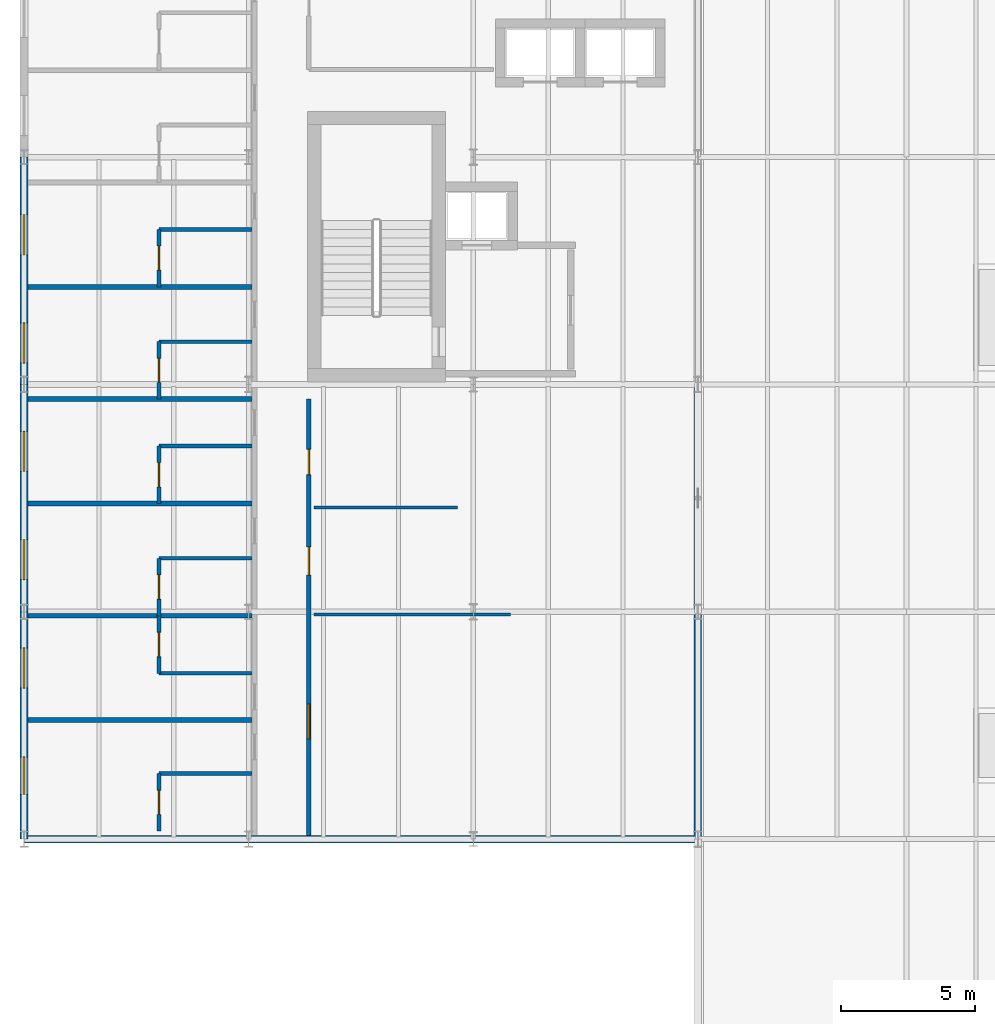
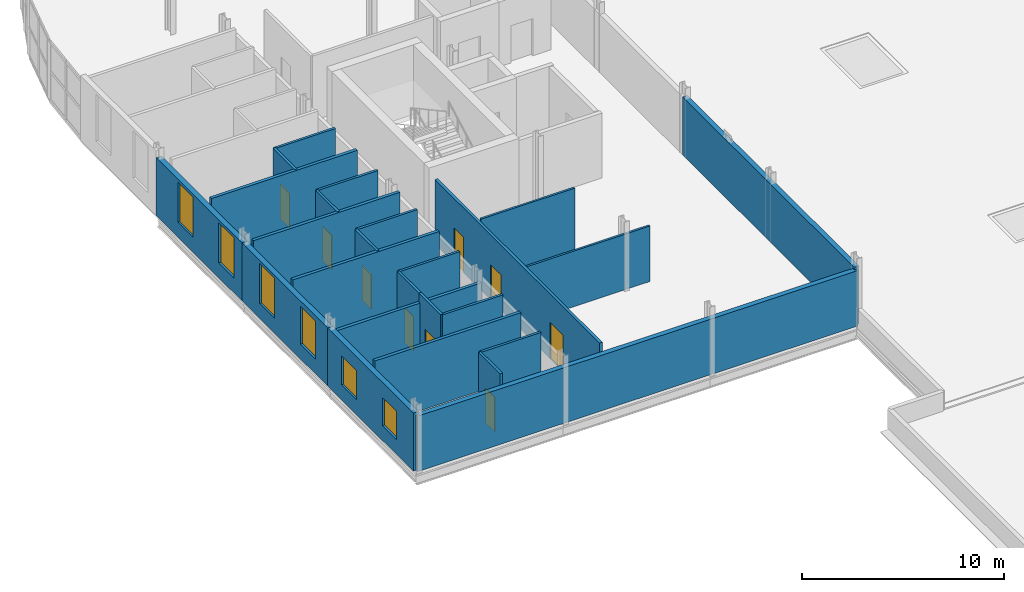
# One storey, part 41 of 58: 25 walls, 9 doors, 6 windows, 15 openings.
"""IFC4 building model written with IfcOpenShell, lengths in metres."""

from ifc_helpers import new_model, si_unit, direction, frame, frame_2d, origin, place, context, subcontext, project, spatial, rectangle, extrude, material, layer, layer_set, type_object, element, fill, save


model = new_model("IFC4")

# Units and contexts
model_context = context("Model", 3, precision=1e-05, world=origin(), true_north=direction((0.0, 1.0)))
body_context = subcontext(model_context, "Body", "Model", "MODEL_VIEW")
ifc_project = project(units=[si_unit("LENGTHUNIT", "METRE"), si_unit("AREAUNIT", "SQUARE_METRE"), si_unit("VOLUMEUNIT", "CUBIC_METRE"), si_unit("PLANEANGLEUNIT", "RADIAN"), si_unit("MASSUNIT", "GRAM", prefix="KILO")], contexts=[model_context])

# Site, building, storey
site_placement = place(None, origin())
site = spatial("IfcSite", under=ifc_project, at=site_placement, CompositionType="ELEMENT")
building_placement = place(site_placement, origin())
building = spatial("IfcBuilding", under=site, at=building_placement, Name="Sefraquen Railside Congress Hotel", CompositionType="ELEMENT")
storey_placement = place(building_placement, frame((0.0, 0.0, 16.199951171875)))
storey = spatial("IfcBuildingStorey", under=building, at=storey_placement, Name="L03", CompositionType="ELEMENT", Elevation=16.199951171875)

# Walls
ifc_material_1 = material(Name="Ochre Rabat calcarenite limestone and Concrete C40/50 backing", Category="masonry")
ifc_layer_1 = layer(ifc_material_1, 0.280029296875)
ifc_layer_set_1 = layer_set([ifc_layer_1], Name="Ochre Rabat calcarenite limestone and Concrete C40/50 backing")
wall_type_1 = type_object("IfcWallType", Name="TW-EW-280", PredefinedType="STANDARD", material=ifc_layer_set_1)
wall_1_placement = place(storey_placement, frame((0.0, 62.5, 0.0), z_axis=(0.0, 0.0, 1.0), x_axis=(1.0, 0.0, 0.0)))
element("IfcWall", 1, at=wall_1_placement, inside=storey, type_object=wall_type_1, Name="Hotel L03 south-west return wall", PredefinedType="STANDARD", context=body_context, shape_type="SweptSolid", body=[
    extrude(rectangle(XDim=25.199951171875, YDim=0.280029296875, at=frame_2d((12.60009765625, 0.0))), origin(), (0.0, 0.0, 1.0), 3.360107421875),
])
wall_2_placement = place(storey_placement, frame((25.199951171875, 62.5, 0.0), z_axis=(0.0, 0.0, 1.0), x_axis=(0.0, 1.0, 0.0)))
element("IfcWall", 2, at=wall_2_placement, inside=storey, type_object=wall_type_1, Name="Hotel L03 courtyard return wall", PredefinedType="STANDARD", context=body_context, shape_type="SweptSolid", body=[
    extrude(rectangle(XDim=17.0, YDim=0.280029296875, at=frame_2d((8.5, 0.0))), origin(), (0.0, 0.0, 1.0), 3.510009765625),
])

# Wall, openings, windows
ifc_layer_2 = layer(ifc_material_1, 0.300048828125)
ifc_layer_set_2 = layer_set([ifc_layer_2], Name="Ochre Rabat calcarenite limestone and Concrete C40/50 backing")
wall_type_2 = type_object("IfcWallType", Name="TW-EW-300", PredefinedType="STANDARD", material=ifc_layer_set_2)
wall_3_placement = place(storey_placement, frame((0.0, 62.5, 0.0), z_axis=(0.0, 0.0, 1.0), x_axis=(0.0, 1.0, 0.0)))
wall_3 = element("IfcWall", 3, at=wall_3_placement, inside=storey, type_object=wall_type_2, Name="Hotel L03 West Forecourt facade wall", PredefinedType="STANDARD", context=body_context, shape_type="SweptSolid", body=[
    extrude(rectangle(XDim=8.5, YDim=0.300048828125, at=frame_2d((4.25, 0.0))), origin(), (0.0, 0.0, 1.0), 3.510009765625),
])
opening_1_placement = place(wall_3_placement, frame((1.674072265625, 0.0, 0.89990234375)))
opening_1 = element("IfcOpeningElement", 4, at=opening_1_placement, cuts=wall_3, Name="Opening WN-23", PredefinedType="OPENING", context=body_context, shape_type="SweptSolid", body=[
    extrude(rectangle(XDim=1.39990234375, YDim=1.699951171875, at=frame_2d((0.699951171875, 0.85009765625))), frame((0.0, 0.159912109375, 0.0), z_axis=(0.0, -1.0, 0.0), x_axis=(1.0, 0.0, 0.0)), (0.0, 0.0, 1.0), 0.320068359375),
])
opening_2_placement = place(wall_3_placement, frame((5.64892578125, 0.0, 0.89990234375)))
opening_2 = element("IfcOpeningElement", 5, at=opening_2_placement, cuts=wall_3, Name="Opening WN-24", PredefinedType="OPENING", context=body_context, shape_type="SweptSolid", body=[
    extrude(rectangle(XDim=1.5, YDim=1.75, at=frame_2d((0.75, 0.875))), frame((0.0, 0.159912109375, 0.0), z_axis=(0.0, -1.0, 0.0), x_axis=(1.0, 0.0, 0.0)), (0.0, 0.0, 1.0), 0.320068359375),
])
ifc_material_2 = material(Name="Solar-control low-E double glazing in bronze-anodised frame", Category="glass")
window_type_1 = type_object("IfcWindowType", Name="TWN-W-23", PartitioningType="DOUBLE_PANEL_VERTICAL", PredefinedType="WINDOW", material=ifc_material_2)
window_1_placement = place(opening_1_placement, origin())
window_1 = element("IfcWindow", 6, at=window_1_placement, inside=storey, type_object=window_type_1, Name="Guest room west window SP-L03-RM-023", OverallHeight=1.699951171875, OverallWidth=1.39990234375, PartitioningType="DOUBLE_PANEL_VERTICAL", PredefinedType="WINDOW", context=body_context, shape_type="SweptSolid", body=[
    extrude(rectangle(XDim=1.39990234375, YDim=1.699951171875, at=frame_2d((0.699951171875, 0.85009765625))), frame((0.0, 0.030029296875, 0.0), z_axis=(0.0, -1.0, 0.0), x_axis=(1.0, 0.0, 0.0)), (0.0, 0.0, 1.0), 0.06005859375),
])
fill(opening_1, window_1)
window_type_2 = type_object("IfcWindowType", Name="TWN-W-24", PartitioningType="DOUBLE_PANEL_VERTICAL", PredefinedType="WINDOW", material=ifc_material_2)
window_2_placement = place(opening_2_placement, origin())
window_2 = element("IfcWindow", 7, at=window_2_placement, inside=storey, type_object=window_type_2, Name="Guest room west window SP-L03-RM-024", OverallHeight=1.75, OverallWidth=1.5, PartitioningType="DOUBLE_PANEL_VERTICAL", PredefinedType="WINDOW", context=body_context, shape_type="SweptSolid", body=[
    extrude(rectangle(XDim=1.5, YDim=1.75, at=frame_2d((0.75, 0.875))), frame((0.0, 0.030029296875, 0.0), z_axis=(0.0, -1.0, 0.0), x_axis=(1.0, 0.0, 0.0)), (0.0, 0.0, 1.0), 0.06005859375),
])
fill(opening_2, window_2)

wall_4_placement = place(storey_placement, frame((0.0, 71.0, 0.0), z_axis=(0.0, 0.0, 1.0), x_axis=(0.0, 1.0, 0.0)))
wall_4 = element("IfcWall", 8, at=wall_4_placement, inside=storey, type_object=wall_type_2, Name="Hotel L03 West Forecourt facade wall", PredefinedType="STANDARD", context=body_context, shape_type="SweptSolid", body=[
    extrude(rectangle(XDim=8.5, YDim=0.300048828125, at=frame_2d((4.25, 0.0))), origin(), (0.0, 0.0, 1.0), 3.510009765625),
])
opening_3_placement = place(wall_4_placement, frame((1.199951171875, 0.0, 0.89990234375)))
opening_3 = element("IfcOpeningElement", 9, at=opening_3_placement, cuts=wall_4, Name="Opening WN-25", PredefinedType="OPENING", context=body_context, shape_type="SweptSolid", body=[
    extrude(rectangle(XDim=1.5, YDim=2.300048828125, at=frame_2d((0.75, 1.14990234375))), frame((0.0, 0.159912109375, 0.0), z_axis=(0.0, -1.0, 0.0), x_axis=(1.0, 0.0, 0.0)), (0.0, 0.0, 1.0), 0.320068359375),
])
opening_4_placement = place(wall_4_placement, frame((5.25, 0.0, 0.89990234375)))
opening_4 = element("IfcOpeningElement", 10, at=opening_4_placement, cuts=wall_4, Name="Opening WN-26", PredefinedType="OPENING", context=body_context, shape_type="SweptSolid", body=[
    extrude(rectangle(XDim=1.5, YDim=2.429931640625, at=frame_2d((0.75, 1.21484375))), frame((0.0, 0.159912109375, 0.0), z_axis=(0.0, -1.0, 0.0), x_axis=(1.0, 0.0, 0.0)), (0.0, 0.0, 1.0), 0.320068359375),
])
window_type_3 = type_object("IfcWindowType", Name="TWN-W-25", PartitioningType="DOUBLE_PANEL_VERTICAL", PredefinedType="WINDOW", material=ifc_material_2)
window_3_placement = place(opening_3_placement, origin())
window_3 = element("IfcWindow", 11, at=window_3_placement, inside=storey, type_object=window_type_3, Name="Guest room west window SP-L03-RM-025", OverallHeight=2.300048828125, OverallWidth=1.5, PartitioningType="DOUBLE_PANEL_VERTICAL", PredefinedType="WINDOW", context=body_context, shape_type="SweptSolid", body=[
    extrude(rectangle(XDim=1.5, YDim=2.300048828125, at=frame_2d((0.75, 1.14990234375))), frame((0.0, 0.030029296875, 0.0), z_axis=(0.0, -1.0, 0.0), x_axis=(1.0, 0.0, 0.0)), (0.0, 0.0, 1.0), 0.06005859375),
])
fill(opening_3, window_3)
window_type_4 = type_object("IfcWindowType", Name="TWN-W-26", PartitioningType="DOUBLE_PANEL_VERTICAL", PredefinedType="WINDOW", material=ifc_material_2)
window_4_placement = place(opening_4_placement, origin())
window_4 = element("IfcWindow", 12, at=window_4_placement, inside=storey, type_object=window_type_4, Name="Guest room west window SP-L03-RM-026", OverallHeight=2.429931640625, OverallWidth=1.5, PartitioningType="DOUBLE_PANEL_VERTICAL", PredefinedType="WINDOW", context=body_context, shape_type="SweptSolid", body=[
    extrude(rectangle(XDim=1.5, YDim=2.429931640625, at=frame_2d((0.75, 1.21484375))), frame((0.0, 0.030029296875, 0.0), z_axis=(0.0, -1.0, 0.0), x_axis=(1.0, 0.0, 0.0)), (0.0, 0.0, 1.0), 0.06005859375),
])
fill(opening_4, window_4)

wall_5_placement = place(storey_placement, frame((0.0, 79.5, 0.0), z_axis=(0.0, 0.0, 1.0), x_axis=(0.0, 1.0, 0.0)))
wall_5 = element("IfcWall", 13, at=wall_5_placement, inside=storey, type_object=wall_type_2, Name="Hotel L03 West Forecourt facade wall", PredefinedType="STANDARD", context=body_context, shape_type="SweptSolid", body=[
    extrude(rectangle(XDim=8.5, YDim=0.300048828125, at=frame_2d((4.25, 0.0))), origin(), (0.0, 0.0, 1.0), 3.510009765625),
])
opening_5_placement = place(wall_5_placement, frame((0.799072265625, 0.0, 0.89990234375)))
opening_5 = element("IfcOpeningElement", 14, at=opening_5_placement, cuts=wall_5, Name="Opening WN-27", PredefinedType="OPENING", context=body_context, shape_type="SweptSolid", body=[
    extrude(rectangle(XDim=1.5, YDim=2.429931640625, at=frame_2d((0.75, 1.21484375))), frame((0.0, 0.159912109375, 0.0), z_axis=(0.0, -1.0, 0.0), x_axis=(1.0, 0.0, 0.0)), (0.0, 0.0, 1.0), 0.320068359375),
])
opening_6_placement = place(wall_5_placement, frame((4.85009765625, 0.0, 0.89990234375)))
opening_6 = element("IfcOpeningElement", 15, at=opening_6_placement, cuts=wall_5, Name="Opening WN-28", PredefinedType="OPENING", context=body_context, shape_type="SweptSolid", body=[
    extrude(rectangle(XDim=1.5, YDim=2.429931640625, at=frame_2d((0.75, 1.21484375))), frame((0.0, 0.159912109375, 0.0), z_axis=(0.0, -1.0, 0.0), x_axis=(1.0, 0.0, 0.0)), (0.0, 0.0, 1.0), 0.320068359375),
])
window_type_5 = type_object("IfcWindowType", Name="TWN-W-27", PartitioningType="DOUBLE_PANEL_VERTICAL", PredefinedType="WINDOW", material=ifc_material_2)
window_5_placement = place(opening_5_placement, origin())
window_5 = element("IfcWindow", 16, at=window_5_placement, inside=storey, type_object=window_type_5, Name="Guest room west window SP-L03-RM-027", OverallHeight=2.429931640625, OverallWidth=1.5, PartitioningType="DOUBLE_PANEL_VERTICAL", PredefinedType="WINDOW", context=body_context, shape_type="SweptSolid", body=[
    extrude(rectangle(XDim=1.5, YDim=2.429931640625, at=frame_2d((0.75, 1.21484375))), frame((0.0, 0.030029296875, 0.0), z_axis=(0.0, -1.0, 0.0), x_axis=(1.0, 0.0, 0.0)), (0.0, 0.0, 1.0), 0.06005859375),
])
fill(opening_5, window_5)
window_type_6 = type_object("IfcWindowType", Name="TWN-W-28", PartitioningType="DOUBLE_PANEL_VERTICAL", PredefinedType="WINDOW", material=ifc_material_2)
window_6_placement = place(opening_6_placement, origin())
window_6 = element("IfcWindow", 17, at=window_6_placement, inside=storey, type_object=window_type_6, Name="Guest room west window SP-L03-RM-028", OverallHeight=2.429931640625, OverallWidth=1.5, PartitioningType="DOUBLE_PANEL_VERTICAL", PredefinedType="WINDOW", context=body_context, shape_type="SweptSolid", body=[
    extrude(rectangle(XDim=1.5, YDim=2.429931640625, at=frame_2d((0.75, 1.21484375))), frame((0.0, 0.030029296875, 0.0), z_axis=(0.0, -1.0, 0.0), x_axis=(1.0, 0.0, 0.0)), (0.0, 0.0, 1.0), 0.06005859375),
])
fill(opening_6, window_6)

# Walls
ifc_material_3 = material(Name="Gypsum board on metal stud", Category="gypsum")
ifc_layer_3 = layer(ifc_material_3, 0.1201171875)
ifc_layer_set_3 = layer_set([ifc_layer_3], Name="Gypsum board on metal stud")
wall_type_3 = type_object("IfcWallType", Name="TW-PW-120", PredefinedType="PARTITIONING", material=ifc_layer_set_3)
wall_6_placement = place(storey_placement, frame((10.85009765625, 70.89990234375, 0.0), z_axis=(0.0, 0.0, 1.0), x_axis=(1.0, 0.0, 0.0)))
element("IfcWall", 18, at=wall_6_placement, inside=storey, type_object=wall_type_3, Name="Lounge-pantry divider L03", PredefinedType="PARTITIONING", context=body_context, shape_type="SweptSolid", body=[
    extrude(rectangle(XDim=7.349853515625, YDim=0.1201171875, at=frame_2d((3.6748046875, 0.0))), origin(), (0.0, 0.0, 1.0), 3.360107421875),
])
wall_7_placement = place(storey_placement, frame((10.85009765625, 74.89990234375, 0.0), z_axis=(0.0, 0.0, 1.0), x_axis=(1.0, 0.0, 0.0)))
element("IfcWall", 19, at=wall_7_placement, inside=storey, type_object=wall_type_3, Name="Pantry-WC divider L03", PredefinedType="PARTITIONING", context=body_context, shape_type="SweptSolid", body=[
    extrude(rectangle(XDim=5.349853515625, YDim=0.1201171875, at=frame_2d((2.6748046875, 0.0))), origin(), (0.0, 0.0, 1.0), 3.920166015625),
])
ifc_material_4 = material(Name="Moisture-resistant gypsum board", Category="gypsum")
ifc_layer_4 = layer(ifc_material_4, 0.139892578125)
ifc_layer_set_4 = layer_set([ifc_layer_4], Name="Moisture-resistant gypsum board")
wall_type_4 = type_object("IfcWallType", Name="TW-PW-140", PredefinedType="PARTITIONING", material=ifc_layer_set_4)
wall_8_placement = place(storey_placement, frame((5.050048828125, 64.949951171875, 0.0), z_axis=(0.0, 0.0, 1.0), x_axis=(1.0, 0.0, 0.0)))
element("IfcWall", 20, at=wall_8_placement, inside=storey, type_object=wall_type_4, Name="West en-suite bathroom north wall RM-023", PredefinedType="PARTITIONING", context=body_context, shape_type="SweptSolid", body=[
    extrude(rectangle(XDim=3.469970703125, YDim=0.139892578125, at=frame_2d((1.73486328125, 0.0))), origin(), (0.0, 0.0, 1.0), 3.920166015625),
])

# Wall, opening, door
wall_9_placement = place(storey_placement, frame((5.050048828125, 62.800048828125, 0.0), z_axis=(0.0, 0.0, 1.0), x_axis=(0.0, 1.0, 0.0)))
wall_9 = element("IfcWall", 21, at=wall_9_placement, inside=storey, type_object=wall_type_4, Name="West en-suite bathroom west wall RM-023", PredefinedType="PARTITIONING", context=body_context, shape_type="SweptSolid", body=[
    extrude(rectangle(XDim=2.14990234375, YDim=0.139892578125, at=frame_2d((1.074951171875, 0.0))), origin(), (0.0, 0.0, 1.0), 3.920166015625),
])
opening_7_placement = place(wall_9_placement, frame((0.625, 0.0, 0.0)))
opening_7 = element("IfcOpeningElement", 22, at=opening_7_placement, cuts=wall_9, Name="Opening ID-02", PredefinedType="OPENING", context=body_context, shape_type="SweptSolid", body=[
    extrude(rectangle(XDim=0.89990234375, YDim=2.10009765625, at=frame_2d((0.449951171875, 1.050048828125))), frame((0.0, 0.079833984375, 0.0), z_axis=(0.0, -1.0, 0.0), x_axis=(1.0, 0.0, 0.0)), (0.0, 0.0, 1.0), 0.159912109375),
])
ifc_material_5 = material(Name="Lacquered cedar joinery", Category="wood")
door_type_1 = type_object("IfcDoorType", Name="TD-ID-02", OperationType="NOTDEFINED", PredefinedType="DOOR", material=ifc_material_5)
door_1_placement = place(opening_7_placement, frame((0.89990234375, 0.0, 0.0), z_axis=(0.0, 0.0, 1.0), x_axis=(-1.0, 0.0, 0.0)))
door_1 = element("IfcDoor", 23, at=door_1_placement, inside=storey, type_object=door_type_1, Name="En-suite bathroom door RM-023", OperationType="SINGLE_SWING_LEFT", OverallHeight=2.10009765625, OverallWidth=0.89990234375, PredefinedType="DOOR", context=body_context, shape_type="SweptSolid", body=[
    extrude(rectangle(XDim=0.89990234375, YDim=2.10009765625, at=frame_2d((0.449951171875, 1.050048828125))), frame((0.0, 0.02490234375, 0.0), z_axis=(0.0, -1.0, 0.0), x_axis=(1.0, 0.0, 0.0)), (0.0, 0.0, 1.0), 0.050048828125),
])
fill(opening_7, door_1)

# Wall
wall_10_placement = place(storey_placement, frame((5.050048828125, 68.700927734375, 0.0), z_axis=(0.0, 0.0, 1.0), x_axis=(1.0, 0.0, 0.0)))
element("IfcWall", 24, at=wall_10_placement, inside=storey, type_object=wall_type_4, Name="West en-suite bathroom south wall RM-024", PredefinedType="PARTITIONING", context=body_context, shape_type="SweptSolid", body=[
    extrude(rectangle(XDim=3.469970703125, YDim=0.139892578125, at=frame_2d((1.73486328125, 0.0))), origin(), (0.0, 0.0, 1.0), 3.920166015625),
])

# Wall, opening, door
wall_11_placement = place(storey_placement, frame((5.050048828125, 68.700927734375, 0.0), z_axis=(0.0, 0.0, 1.0), x_axis=(0.0, 1.0, 0.0)))
wall_11 = element("IfcWall", 25, at=wall_11_placement, inside=storey, type_object=wall_type_4, Name="West en-suite bathroom west wall RM-024", PredefinedType="PARTITIONING", context=body_context, shape_type="SweptSolid", body=[
    extrude(rectangle(XDim=2.150146484375, YDim=0.139892578125, at=frame_2d((1.0751953125, 0.0))), origin(), (0.0, 0.0, 1.0), 3.920166015625),
])
opening_8_placement = place(wall_11_placement, frame((0.625, 0.0, 0.0)))
opening_8 = element("IfcOpeningElement", 26, at=opening_8_placement, cuts=wall_11, Name="Opening ID-02", PredefinedType="OPENING", context=body_context, shape_type="SweptSolid", body=[
    extrude(rectangle(XDim=0.89990234375, YDim=2.10009765625, at=frame_2d((0.449951171875, 1.050048828125))), frame((0.0, 0.079833984375, 0.0), z_axis=(0.0, -1.0, 0.0), x_axis=(1.0, 0.0, 0.0)), (0.0, 0.0, 1.0), 0.159912109375),
])
door_2_placement = place(opening_8_placement, frame((0.89990234375, 0.0, 0.0), z_axis=(0.0, 0.0, 1.0), x_axis=(-1.0, 0.0, 0.0)))
door_2 = element("IfcDoor", 27, at=door_2_placement, inside=storey, type_object=door_type_1, Name="En-suite bathroom door RM-024", OperationType="SINGLE_SWING_LEFT", OverallHeight=2.10009765625, OverallWidth=0.89990234375, PredefinedType="DOOR", context=body_context, shape_type="SweptSolid", body=[
    extrude(rectangle(XDim=0.89990234375, YDim=2.10009765625, at=frame_2d((0.449951171875, 1.050048828125))), frame((0.0, 0.02490234375, 0.0), z_axis=(0.0, -1.0, 0.0), x_axis=(1.0, 0.0, 0.0)), (0.0, 0.0, 1.0), 0.050048828125),
])
fill(opening_8, door_2)

# Wall
wall_12_placement = place(storey_placement, frame((5.050048828125, 73.0009765625, 0.0), z_axis=(0.0, 0.0, 1.0), x_axis=(1.0, 0.0, 0.0)))
element("IfcWall", 28, at=wall_12_placement, inside=storey, type_object=wall_type_4, Name="West en-suite bathroom north wall RM-025", PredefinedType="PARTITIONING", context=body_context, shape_type="SweptSolid", body=[
    extrude(rectangle(XDim=3.469970703125, YDim=0.139892578125, at=frame_2d((1.73486328125, 0.0))), origin(), (0.0, 0.0, 1.0), 3.920166015625),
])

# Wall, opening, door
wall_13_placement = place(storey_placement, frame((5.050048828125, 70.85107421875, 0.0), z_axis=(0.0, 0.0, 1.0), x_axis=(0.0, 1.0, 0.0)))
wall_13 = element("IfcWall", 29, at=wall_13_placement, inside=storey, type_object=wall_type_4, Name="West en-suite bathroom west wall RM-025", PredefinedType="PARTITIONING", context=body_context, shape_type="SweptSolid", body=[
    extrude(rectangle(XDim=2.14990234375, YDim=0.139892578125, at=frame_2d((1.074951171875, 0.0))), origin(), (0.0, 0.0, 1.0), 3.920166015625),
])
opening_9_placement = place(wall_13_placement, frame((0.625, 0.0, 0.0)))
opening_9 = element("IfcOpeningElement", 30, at=opening_9_placement, cuts=wall_13, Name="Opening ID-02", PredefinedType="OPENING", context=body_context, shape_type="SweptSolid", body=[
    extrude(rectangle(XDim=0.89990234375, YDim=2.10009765625, at=frame_2d((0.449951171875, 1.050048828125))), frame((0.0, 0.079833984375, 0.0), z_axis=(0.0, -1.0, 0.0), x_axis=(1.0, 0.0, 0.0)), (0.0, 0.0, 1.0), 0.159912109375),
])
door_3_placement = place(opening_9_placement, frame((0.89990234375, 0.0, 0.0), z_axis=(0.0, 0.0, 1.0), x_axis=(-1.0, 0.0, 0.0)))
door_3 = element("IfcDoor", 31, at=door_3_placement, inside=storey, type_object=door_type_1, Name="En-suite bathroom door RM-025", OperationType="SINGLE_SWING_LEFT", OverallHeight=2.10009765625, OverallWidth=0.89990234375, PredefinedType="DOOR", context=body_context, shape_type="SweptSolid", body=[
    extrude(rectangle(XDim=0.89990234375, YDim=2.10009765625, at=frame_2d((0.449951171875, 1.050048828125))), frame((0.0, 0.02490234375, 0.0), z_axis=(0.0, -1.0, 0.0), x_axis=(1.0, 0.0, 0.0)), (0.0, 0.0, 1.0), 0.050048828125),
])
fill(opening_9, door_3)

# Wall
wall_14_placement = place(storey_placement, frame((5.050048828125, 77.197998046875, 0.0), z_axis=(0.0, 0.0, 1.0), x_axis=(1.0, 0.0, 0.0)))
element("IfcWall", 32, at=wall_14_placement, inside=storey, type_object=wall_type_4, Name="West en-suite bathroom north wall RM-026", PredefinedType="PARTITIONING", context=body_context, shape_type="SweptSolid", body=[
    extrude(rectangle(XDim=3.469970703125, YDim=0.139892578125, at=frame_2d((1.73486328125, 0.0))), origin(), (0.0, 0.0, 1.0), 3.920166015625),
])

# Wall, opening, door
wall_15_placement = place(storey_placement, frame((5.050048828125, 75.048095703125, 0.0), z_axis=(0.0, 0.0, 1.0), x_axis=(0.0, 1.0, 0.0)))
wall_15 = element("IfcWall", 33, at=wall_15_placement, inside=storey, type_object=wall_type_4, Name="West en-suite bathroom west wall RM-026", PredefinedType="PARTITIONING", context=body_context, shape_type="SweptSolid", body=[
    extrude(rectangle(XDim=2.14990234375, YDim=0.139892578125, at=frame_2d((1.074951171875, 0.0))), origin(), (0.0, 0.0, 1.0), 3.920166015625),
])
opening_10_placement = place(wall_15_placement, frame((0.625, 0.0, 0.0)))
opening_10 = element("IfcOpeningElement", 34, at=opening_10_placement, cuts=wall_15, Name="Opening ID-02", PredefinedType="OPENING", context=body_context, shape_type="SweptSolid", body=[
    extrude(rectangle(XDim=0.89990234375, YDim=2.10009765625, at=frame_2d((0.449951171875, 1.050048828125))), frame((0.0, 0.079833984375, 0.0), z_axis=(0.0, -1.0, 0.0), x_axis=(1.0, 0.0, 0.0)), (0.0, 0.0, 1.0), 0.159912109375),
])
door_4_placement = place(opening_10_placement, frame((0.89990234375, 0.0, 0.0), z_axis=(0.0, 0.0, 1.0), x_axis=(-1.0, 0.0, 0.0)))
door_4 = element("IfcDoor", 35, at=door_4_placement, inside=storey, type_object=door_type_1, Name="En-suite bathroom door RM-026", OperationType="SINGLE_SWING_LEFT", OverallHeight=2.10009765625, OverallWidth=0.89990234375, PredefinedType="DOOR", context=body_context, shape_type="SweptSolid", body=[
    extrude(rectangle(XDim=0.89990234375, YDim=2.10009765625, at=frame_2d((0.449951171875, 1.050048828125))), frame((0.0, 0.02490234375, 0.0), z_axis=(0.0, -1.0, 0.0), x_axis=(1.0, 0.0, 0.0)), (0.0, 0.0, 1.0), 0.050048828125),
])
fill(opening_10, door_4)

# Wall
wall_16_placement = place(storey_placement, frame((5.050048828125, 81.10107421875, 0.0), z_axis=(0.0, 0.0, 1.0), x_axis=(1.0, 0.0, 0.0)))
element("IfcWall", 36, at=wall_16_placement, inside=storey, type_object=wall_type_4, Name="West en-suite bathroom north wall RM-027", PredefinedType="PARTITIONING", context=body_context, shape_type="SweptSolid", body=[
    extrude(rectangle(XDim=3.469970703125, YDim=0.139892578125, at=frame_2d((1.73486328125, 0.0))), origin(), (0.0, 0.0, 1.0), 3.920166015625),
])

# Wall, opening, door
wall_17_placement = place(storey_placement, frame((5.050048828125, 78.950927734375, 0.0), z_axis=(0.0, 0.0, 1.0), x_axis=(0.0, 1.0, 0.0)))
wall_17 = element("IfcWall", 37, at=wall_17_placement, inside=storey, type_object=wall_type_4, Name="West en-suite bathroom west wall RM-027", PredefinedType="PARTITIONING", context=body_context, shape_type="SweptSolid", body=[
    extrude(rectangle(XDim=2.150146484375, YDim=0.139892578125, at=frame_2d((1.0751953125, 0.0))), origin(), (0.0, 0.0, 1.0), 3.920166015625),
])
opening_11_placement = place(wall_17_placement, frame((0.625, 0.0, 0.0)))
opening_11 = element("IfcOpeningElement", 38, at=opening_11_placement, cuts=wall_17, Name="Opening ID-02", PredefinedType="OPENING", context=body_context, shape_type="SweptSolid", body=[
    extrude(rectangle(XDim=0.89990234375, YDim=2.10009765625, at=frame_2d((0.449951171875, 1.050048828125))), frame((0.0, 0.079833984375, 0.0), z_axis=(0.0, -1.0, 0.0), x_axis=(1.0, 0.0, 0.0)), (0.0, 0.0, 1.0), 0.159912109375),
])
door_5_placement = place(opening_11_placement, frame((0.89990234375, 0.0, 0.0), z_axis=(0.0, 0.0, 1.0), x_axis=(-1.0, 0.0, 0.0)))
door_5 = element("IfcDoor", 39, at=door_5_placement, inside=storey, type_object=door_type_1, Name="En-suite bathroom door RM-027", OperationType="SINGLE_SWING_LEFT", OverallHeight=2.10009765625, OverallWidth=0.89990234375, PredefinedType="DOOR", context=body_context, shape_type="SweptSolid", body=[
    extrude(rectangle(XDim=0.89990234375, YDim=2.10009765625, at=frame_2d((0.449951171875, 1.050048828125))), frame((0.0, 0.02490234375, 0.0), z_axis=(0.0, -1.0, 0.0), x_axis=(1.0, 0.0, 0.0)), (0.0, 0.0, 1.0), 0.050048828125),
])
fill(opening_11, door_5)

# Wall
wall_18_placement = place(storey_placement, frame((5.050048828125, 85.298095703125, 0.0), z_axis=(0.0, 0.0, 1.0), x_axis=(1.0, 0.0, 0.0)))
element("IfcWall", 40, at=wall_18_placement, inside=storey, type_object=wall_type_4, Name="West en-suite bathroom north wall RM-028", PredefinedType="PARTITIONING", context=body_context, shape_type="SweptSolid", body=[
    extrude(rectangle(XDim=3.469970703125, YDim=0.139892578125, at=frame_2d((1.73486328125, 0.0))), origin(), (0.0, 0.0, 1.0), 3.920166015625),
])

# Wall, opening, door
wall_19_placement = place(storey_placement, frame((5.050048828125, 83.14794921875, 0.0), z_axis=(0.0, 0.0, 1.0), x_axis=(0.0, 1.0, 0.0)))
wall_19 = element("IfcWall", 41, at=wall_19_placement, inside=storey, type_object=wall_type_4, Name="West en-suite bathroom west wall RM-028", PredefinedType="PARTITIONING", context=body_context, shape_type="SweptSolid", body=[
    extrude(rectangle(XDim=2.150146484375, YDim=0.139892578125, at=frame_2d((1.0751953125, 0.0))), origin(), (0.0, 0.0, 1.0), 3.920166015625),
])
opening_12_placement = place(wall_19_placement, frame((0.625, 0.0, 0.0)))
opening_12 = element("IfcOpeningElement", 42, at=opening_12_placement, cuts=wall_19, Name="Opening ID-02", PredefinedType="OPENING", context=body_context, shape_type="SweptSolid", body=[
    extrude(rectangle(XDim=0.89990234375, YDim=2.10009765625, at=frame_2d((0.449951171875, 1.050048828125))), frame((0.0, 0.079833984375, 0.0), z_axis=(0.0, -1.0, 0.0), x_axis=(1.0, 0.0, 0.0)), (0.0, 0.0, 1.0), 0.159912109375),
])
door_6_placement = place(opening_12_placement, frame((0.89990234375, 0.0, 0.0), z_axis=(0.0, 0.0, 1.0), x_axis=(-1.0, 0.0, 0.0)))
door_6 = element("IfcDoor", 43, at=door_6_placement, inside=storey, type_object=door_type_1, Name="En-suite bathroom door RM-028", OperationType="SINGLE_SWING_LEFT", OverallHeight=2.10009765625, OverallWidth=0.89990234375, PredefinedType="DOOR", context=body_context, shape_type="SweptSolid", body=[
    extrude(rectangle(XDim=0.89990234375, YDim=2.10009765625, at=frame_2d((0.449951171875, 1.050048828125))), frame((0.0, 0.02490234375, 0.0), z_axis=(0.0, -1.0, 0.0), x_axis=(1.0, 0.0, 0.0)), (0.0, 0.0, 1.0), 0.050048828125),
])
fill(opening_12, door_6)

# Wall, openings, doors
ifc_layer_5 = layer(ifc_material_4, 0.159912109375)
ifc_layer_set_5 = layer_set([ifc_layer_5], Name="Moisture-resistant gypsum board")
wall_type_5 = type_object("IfcWallType", Name="TW-PW-160", PredefinedType="PARTITIONING", material=ifc_layer_set_5)
wall_20_placement = place(storey_placement, frame((10.64990234375, 62.639892578125, 0.0), z_axis=(0.0, 0.0, 1.0), x_axis=(0.0, 1.0, 0.0)))
wall_20 = element("IfcWall", 44, at=wall_20_placement, inside=storey, type_object=wall_type_5, Name="Hotel L03 west-return corridor E1 partition", PredefinedType="PARTITIONING", context=body_context, shape_type="SweptSolid", body=[
    extrude(rectangle(XDim=16.31005859375, YDim=0.159912109375, at=frame_2d((8.155029296875, 0.0))), origin(), (0.0, 0.0, 1.0), 3.920166015625),
])
opening_13_placement = place(wall_20_placement, frame((3.610107421875, 0.0, 0.0)))
opening_13 = element("IfcOpeningElement", 45, at=opening_13_placement, cuts=wall_20, Name="Opening MD-02", PredefinedType="OPENING", context=body_context, shape_type="SweptSolid", body=[
    extrude(rectangle(XDim=1.300048828125, YDim=2.199951171875, at=frame_2d((0.64990234375, 1.10009765625))), frame((0.0, 0.08984375, 0.0), z_axis=(0.0, -1.0, 0.0), x_axis=(1.0, 0.0, 0.0)), (0.0, 0.0, 1.0), 0.179931640625),
])
opening_14_placement = place(wall_20_placement, frame((9.735107421875, 0.0, 0.0)))
opening_14 = element("IfcOpeningElement", 46, at=opening_14_placement, cuts=wall_20, Name="Opening ID-04", PredefinedType="OPENING", context=body_context, shape_type="SweptSolid", body=[
    extrude(rectangle(XDim=1.050048828125, YDim=2.1201171875, at=frame_2d((0.52490234375, 1.06005859375))), frame((0.0, 0.08984375, 0.0), z_axis=(0.0, -1.0, 0.0), x_axis=(1.0, 0.0, 0.0)), (0.0, 0.0, 1.0), 0.179931640625),
])
opening_15_placement = place(wall_20_placement, frame((13.489990234375, 0.0, 0.0)))
opening_15 = element("IfcOpeningElement", 47, at=opening_15_placement, cuts=wall_20, Name="Opening ID-01", PredefinedType="OPENING", context=body_context, shape_type="SweptSolid", body=[
    extrude(rectangle(XDim=0.93994140625, YDim=2.14990234375, at=frame_2d((0.469970703125, 1.074951171875))), frame((0.0, 0.08984375, 0.0), z_axis=(0.0, -1.0, 0.0), x_axis=(1.0, 0.0, 0.0)), (0.0, 0.0, 1.0), 0.179931640625),
])
door_type_2 = type_object("IfcDoorType", Name="TD-ID-01", OperationType="NOTDEFINED", PredefinedType="DOOR", material=ifc_material_5)
door_7_placement = place(opening_15_placement, origin())
door_7 = element("IfcDoor", 48, at=door_7_placement, inside=storey, type_object=door_type_2, Name="Hotel floor Accessible WC door L03", OperationType="SINGLE_SWING_LEFT", OverallHeight=2.14990234375, OverallWidth=0.93994140625, PredefinedType="DOOR", context=body_context, shape_type="SweptSolid", body=[
    extrude(rectangle(XDim=0.93994140625, YDim=2.14990234375, at=frame_2d((0.469970703125, 1.074951171875))), frame((0.0, 0.02490234375, 0.0), z_axis=(0.0, -1.0, 0.0), x_axis=(1.0, 0.0, 0.0)), (0.0, 0.0, 1.0), 0.050048828125),
])
fill(opening_15, door_7)
ifc_material_6 = material(Name="Painted timber", Category="wood")
door_type_3 = type_object("IfcDoorType", Name="TD-ID-04", OperationType="NOTDEFINED", PredefinedType="DOOR", material=ifc_material_6)
door_8_placement = place(opening_14_placement, origin())
door_8 = element("IfcDoor", 49, at=door_8_placement, inside=storey, type_object=door_type_3, Name="Housekeeping pantry door L03", OperationType="SINGLE_SWING_RIGHT", OverallHeight=2.1201171875, OverallWidth=1.050048828125, PredefinedType="DOOR", context=body_context, shape_type="SweptSolid", body=[
    extrude(rectangle(XDim=1.050048828125, YDim=2.1201171875, at=frame_2d((0.52490234375, 1.06005859375))), frame((0.0, 0.02490234375, 0.0), z_axis=(0.0, -1.0, 0.0), x_axis=(1.0, 0.0, 0.0)), (0.0, 0.0, 1.0), 0.050048828125),
])
fill(opening_14, door_8)
ifc_material_7 = material(Name="Acoustic cedar veneer", Category="wood")
door_type_4 = type_object("IfcDoorType", Name="TD-MD-02", OperationType="NOTDEFINED", PredefinedType="DOOR", material=ifc_material_7)
door_9_placement = place(opening_13_placement, origin())
door_9 = element("IfcDoor", 50, at=door_9_placement, inside=storey, type_object=door_type_4, Name="Floor hospitality salon door L03", OperationType="SINGLE_SWING_LEFT", OverallHeight=2.199951171875, OverallWidth=1.300048828125, PredefinedType="DOOR", context=body_context, shape_type="SweptSolid", body=[
    extrude(rectangle(XDim=1.300048828125, YDim=2.199951171875, at=frame_2d((0.64990234375, 1.10009765625))), frame((0.0, 0.02490234375, 0.0), z_axis=(0.0, -1.0, 0.0), x_axis=(1.0, 0.0, 0.0)), (0.0, 0.0, 1.0), 0.050048828125),
])
fill(opening_13, door_9)

# Walls
ifc_material_8 = material(Name="Acoustic gypsum board on metal stud", Category="gypsum")
ifc_layer_6 = layer(ifc_material_8, 0.179931640625)
ifc_layer_set_6 = layer_set([ifc_layer_6], Name="Acoustic gypsum board on metal stud")
wall_type_6 = type_object("IfcWallType", Name="TW-PW-180", PredefinedType="PARTITIONING", material=ifc_layer_set_6)
wall_21_placement = place(storey_placement, frame((0.14990234375, 66.947998046875, 0.0), z_axis=(0.0, 0.0, 1.0), x_axis=(1.0, 0.0, 0.0)))
element("IfcWall", 51, at=wall_21_placement, inside=storey, type_object=wall_type_6, Name="West return guest room demising wall RM-023", PredefinedType="PARTITIONING", context=body_context, shape_type="SweptSolid", body=[
    extrude(rectangle(XDim=8.3701171875, YDim=0.179931640625, at=frame_2d((4.18505859375, 0.0))), origin(), (0.0, 0.0, 1.0), 3.920166015625),
])
wall_22_placement = place(storey_placement, frame((0.14990234375, 70.85107421875, 0.0), z_axis=(0.0, 0.0, 1.0), x_axis=(1.0, 0.0, 0.0)))
element("IfcWall", 52, at=wall_22_placement, inside=storey, type_object=wall_type_6, Name="West return guest room demising wall RM-024", PredefinedType="PARTITIONING", context=body_context, shape_type="SweptSolid", body=[
    extrude(rectangle(XDim=8.3701171875, YDim=0.179931640625, at=frame_2d((4.18505859375, 0.0))), origin(), (0.0, 0.0, 1.0), 3.360107421875),
])
for number, where, z_axis, x_axis, name in (
    (53, (0.14990234375, 75.048095703125, 0.0), (0.0, 0.0, 1.0), (1.0, 0.0, 0.0), "West return guest room demising wall RM-025"),
    (54, (0.14990234375, 78.950927734375, 0.0), (0.0, 0.0, 1.0), (1.0, 0.0, 0.0), "West return guest room demising wall RM-026"),
    (55, (0.14990234375, 83.14794921875, 0.0), (0.0, 0.0, 1.0), (1.0, 0.0, 0.0), "West return guest room demising wall RM-027"),
):
    element("IfcWall", number, at=place(storey_placement, frame(where, z_axis=z_axis, x_axis=x_axis)), inside=storey, type_object=wall_type_6, Name=name, PredefinedType="PARTITIONING", context=body_context, shape_type="SweptSolid", body=[
        extrude(rectangle(XDim=8.3701171875, YDim=0.179931640625, at=frame_2d((4.18505859375, 0.0))), origin(), (0.0, 0.0, 1.0), 3.920166015625),
    ])

save(model, "model.ifc")
